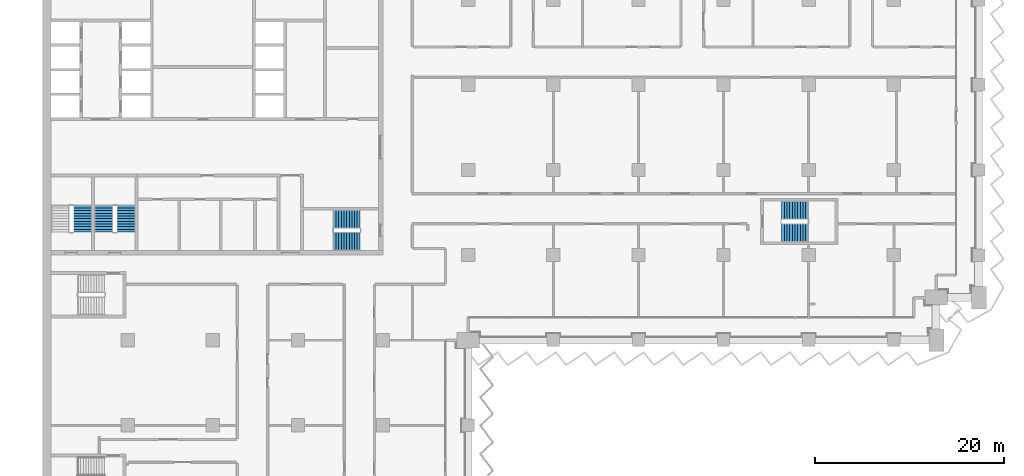
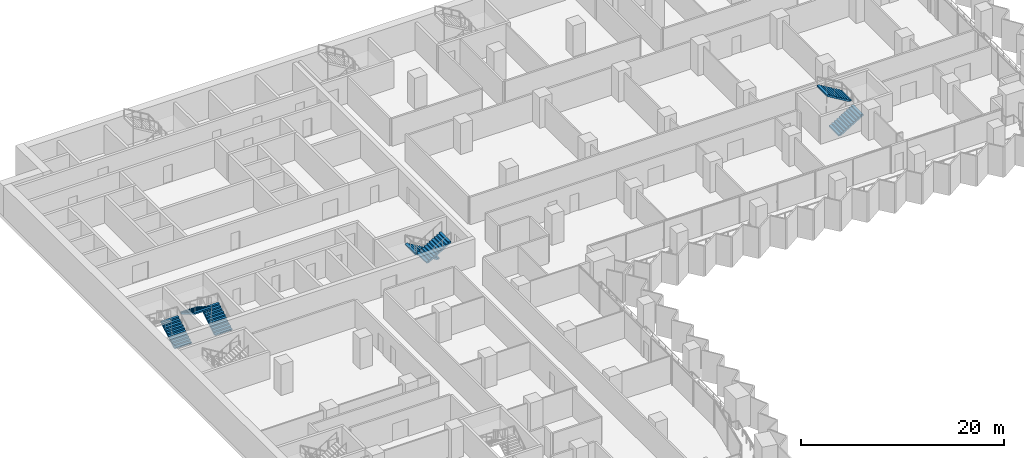
# One storey, part 20 of 28: 7 stair flights, 4 elements without a shape of their own.
"""IFC4 building model written with IfcOpenShell, lengths in metres."""

from ifc_helpers import new_model, si_unit, direction, frame, origin, place, context, subcontext, project, spatial, polyline, outline, extrude, material, type_object, element, aggregate, save


model = new_model("IFC4")

# Units and contexts
model_context = context("Model", 3, precision=1e-05, world=origin(), true_north=direction((0.0, 1.0)))
body_context = subcontext(model_context, "Body", "Model", "MODEL_VIEW")
ifc_project = project(units=[si_unit("LENGTHUNIT", "METRE"), si_unit("AREAUNIT", "SQUARE_METRE"), si_unit("VOLUMEUNIT", "CUBIC_METRE"), si_unit("PLANEANGLEUNIT", "RADIAN"), si_unit("MASSUNIT", "GRAM", prefix="KILO")], contexts=[model_context])

# Site, building, storey
site_placement = place(None, origin())
site = spatial("IfcSite", under=ifc_project, at=site_placement, CompositionType="ELEMENT")
building_placement = place(site_placement, origin())
building = spatial("IfcBuilding", under=site, at=building_placement, Name="Hunhe Ridgeline Campus", CompositionType="ELEMENT")
storey_placement = place(building_placement, frame((0.0, 0.0, 61.699951171875)))
storey = spatial("IfcBuildingStorey", under=building, at=storey_placement, Name="L14", CompositionType="ELEMENT", Elevation=61.699951171875)

# Stair, stair flights
ifc_material = material(Name="Concrete C40", Category="concrete")
stair_type = type_object("IfcStairType", Name="Reinforced concrete dog-leg stair 1950 Concrete C40", PredefinedType="HALF_TURN_STAIR", material=ifc_material)
stair_1_placement = place(storey_placement, origin())
stair_1 = element("IfcStair", 1, at=stair_1_placement, inside=storey, type_object=stair_type, Name="L14 S2", PredefinedType="HALF_TURN_STAIR")
stair_flight_type = type_object("IfcStairFlightType", Name="Reinforced concrete stair flight 1950 Concrete C40", PredefinedType="STRAIGHT", material=ifc_material)
stair_flight_1_placement = place(storey_placement, frame((33.550048828125, 66.77490234375, 0.0), z_axis=(0.0, 0.0, 1.0), x_axis=(-1.0, 0.0, 0.0)))
stair_flight_1 = element("IfcStairFlight", 2, at=stair_flight_1_placement, type_object=stair_flight_type, Name="ST2 flight 1", NumberOfRisers=11, NumberOfTreads=10, PredefinedType="STRAIGHT", RiserHeight=0.168181818, TreadLength=0.28, context=body_context, shape_type="SweptSolid", body=[
    extrude(outline(polyline([(0.0, 0.0), (0.0, 0.168212890625), (0.280029296875, 0.168212890625), (0.280029296875, 0.33642578125), (0.56005859375, 0.33642578125), (0.56005859375, 0.504638671875), (0.840087890625, 0.504638671875), (0.840087890625, 0.672607421875), (1.1201171875, 0.672607421875), (1.1201171875, 0.8408203125), (1.39990234375, 0.8408203125), (1.39990234375, 1.009033203125), (1.679931640625, 1.009033203125), (1.679931640625, 1.17724609375), (1.9599609375, 1.17724609375), (1.9599609375, 1.345458984375), (2.239990234375, 1.345458984375), (2.239990234375, 1.513671875), (2.52001953125, 1.513671875), (2.52001953125, 1.681884765625), (2.800048828125, 1.681884765625), (2.800048828125, 1.85009765625), (2.800048828125, 1.5068359375), (0.291015625, 0.0), (0.0, 0.0)])), frame((0.0, 0.97509765625, 0.0), z_axis=(0.0, -1.0, 0.0), x_axis=(1.0, 0.0, 0.0)), (0.0, 0.0, 1.0), 1.949951171875),
    extrude(outline(polyline([(0.030029296875, 0.030029296875), (0.030029296875, 0.13818359375), (0.31005859375, 0.13818359375), (0.31005859375, 0.306396484375), (0.590087890625, 0.306396484375), (0.590087890625, 0.474609375), (0.8701171875, 0.474609375), (0.8701171875, 0.642578125), (1.14990234375, 0.642578125), (1.14990234375, 0.810791015625), (1.429931640625, 0.810791015625), (1.429931640625, 0.97900390625), (1.7099609375, 0.97900390625), (1.7099609375, 1.147216796875), (1.989990234375, 1.147216796875), (1.989990234375, 1.3154296875), (2.27001953125, 1.3154296875), (2.27001953125, 1.483642578125), (2.550048828125, 1.483642578125), (2.550048828125, 1.65185546875), (2.77001953125, 1.65185546875), (2.77001953125, 1.52392578125), (0.28271484375, 0.030029296875), (0.030029296875, 0.030029296875)])), frame((0.0, -0.070068359375, 0.0), z_axis=(0.0, -1.0, 0.0), x_axis=(1.0, 0.0, 0.0)), (0.0, 0.0, 1.0), 0.019775390625),
    extrude(outline(polyline([(0.030029296875, 0.030029296875), (0.030029296875, 0.13818359375), (0.31005859375, 0.13818359375), (0.31005859375, 0.306396484375), (0.590087890625, 0.306396484375), (0.590087890625, 0.474609375), (0.8701171875, 0.474609375), (0.8701171875, 0.642578125), (1.14990234375, 0.642578125), (1.14990234375, 0.810791015625), (1.429931640625, 0.810791015625), (1.429931640625, 0.97900390625), (1.7099609375, 0.97900390625), (1.7099609375, 1.147216796875), (1.989990234375, 1.147216796875), (1.989990234375, 1.3154296875), (2.27001953125, 1.3154296875), (2.27001953125, 1.483642578125), (2.550048828125, 1.483642578125), (2.550048828125, 1.65185546875), (2.77001953125, 1.65185546875), (2.77001953125, 1.52392578125), (0.28271484375, 0.030029296875), (0.030029296875, 0.030029296875)])), frame((0.0, 0.010009765625, 0.0), z_axis=(0.0, -1.0, 0.0), x_axis=(1.0, 0.0, 0.0)), (0.0, 0.0, 1.0), 0.019775390625),
    extrude(outline(polyline([(0.030029296875, 0.030029296875), (0.030029296875, 0.13818359375), (0.31005859375, 0.13818359375), (0.31005859375, 0.306396484375), (0.590087890625, 0.306396484375), (0.590087890625, 0.474609375), (0.8701171875, 0.474609375), (0.8701171875, 0.642578125), (1.14990234375, 0.642578125), (1.14990234375, 0.810791015625), (1.429931640625, 0.810791015625), (1.429931640625, 0.97900390625), (1.7099609375, 0.97900390625), (1.7099609375, 1.147216796875), (1.989990234375, 1.147216796875), (1.989990234375, 1.3154296875), (2.27001953125, 1.3154296875), (2.27001953125, 1.483642578125), (2.550048828125, 1.483642578125), (2.550048828125, 1.65185546875), (2.77001953125, 1.65185546875), (2.77001953125, 1.52392578125), (0.28271484375, 0.030029296875), (0.030029296875, 0.030029296875)])), frame((0.0, 0.090087890625, 0.0), z_axis=(0.0, -1.0, 0.0), x_axis=(1.0, 0.0, 0.0)), (0.0, 0.0, 1.0), 0.019775390625),
])
stair_flight_2_placement = place(storey_placement, frame((30.75, 64.47509765625, 1.85009765625), z_axis=(0.0, 0.0, 1.0), x_axis=(1.0, 0.0, 0.0)))
stair_flight_2 = element("IfcStairFlight", 3, at=stair_flight_2_placement, type_object=stair_flight_type, Name="ST2 flight 2", NumberOfRisers=11, NumberOfTreads=10, PredefinedType="STRAIGHT", RiserHeight=0.168181818, TreadLength=0.28, context=body_context, shape_type="SweptSolid", body=[
    extrude(outline(polyline([(0.0, 0.0), (0.0, 0.168212890625), (0.280029296875, 0.168212890625), (0.280029296875, 0.33642578125), (0.56005859375, 0.33642578125), (0.56005859375, 0.504638671875), (0.840087890625, 0.504638671875), (0.840087890625, 0.672607421875), (1.1201171875, 0.672607421875), (1.1201171875, 0.8408203125), (1.39990234375, 0.8408203125), (1.39990234375, 1.009033203125), (1.679931640625, 1.009033203125), (1.679931640625, 1.17724609375), (1.9599609375, 1.17724609375), (1.9599609375, 1.345458984375), (2.239990234375, 1.345458984375), (2.239990234375, 1.513671875), (2.52001953125, 1.513671875), (2.52001953125, 1.681884765625), (2.800048828125, 1.681884765625), (2.800048828125, 1.85009765625), (2.800048828125, 1.5068359375), (0.291015625, 0.0), (0.0, 0.0)])), frame((0.0, 0.97509765625, 0.0), z_axis=(0.0, -1.0, 0.0), x_axis=(1.0, 0.0, 0.0)), (0.0, 0.0, 1.0), 1.949951171875),
    extrude(outline(polyline([(0.030029296875, 0.030029296875), (0.030029296875, 0.13818359375), (0.31005859375, 0.13818359375), (0.31005859375, 0.306396484375), (0.590087890625, 0.306396484375), (0.590087890625, 0.474609375), (0.8701171875, 0.474609375), (0.8701171875, 0.642578125), (1.14990234375, 0.642578125), (1.14990234375, 0.810791015625), (1.429931640625, 0.810791015625), (1.429931640625, 0.97900390625), (1.7099609375, 0.97900390625), (1.7099609375, 1.147216796875), (1.989990234375, 1.147216796875), (1.989990234375, 1.3154296875), (2.27001953125, 1.3154296875), (2.27001953125, 1.483642578125), (2.550048828125, 1.483642578125), (2.550048828125, 1.65185546875), (2.77001953125, 1.65185546875), (2.77001953125, 1.52392578125), (0.28271484375, 0.030029296875), (0.030029296875, 0.030029296875)])), frame((0.0, -0.070068359375, 0.0), z_axis=(0.0, -1.0, 0.0), x_axis=(1.0, 0.0, 0.0)), (0.0, 0.0, 1.0), 0.019775390625),
    extrude(outline(polyline([(0.030029296875, 0.030029296875), (0.030029296875, 0.13818359375), (0.31005859375, 0.13818359375), (0.31005859375, 0.306396484375), (0.590087890625, 0.306396484375), (0.590087890625, 0.474609375), (0.8701171875, 0.474609375), (0.8701171875, 0.642578125), (1.14990234375, 0.642578125), (1.14990234375, 0.810791015625), (1.429931640625, 0.810791015625), (1.429931640625, 0.97900390625), (1.7099609375, 0.97900390625), (1.7099609375, 1.147216796875), (1.989990234375, 1.147216796875), (1.989990234375, 1.3154296875), (2.27001953125, 1.3154296875), (2.27001953125, 1.483642578125), (2.550048828125, 1.483642578125), (2.550048828125, 1.65185546875), (2.77001953125, 1.65185546875), (2.77001953125, 1.52392578125), (0.28271484375, 0.030029296875), (0.030029296875, 0.030029296875)])), frame((0.0, 0.010009765625, 0.0), z_axis=(0.0, -1.0, 0.0), x_axis=(1.0, 0.0, 0.0)), (0.0, 0.0, 1.0), 0.019775390625),
    extrude(outline(polyline([(0.030029296875, 0.030029296875), (0.030029296875, 0.13818359375), (0.31005859375, 0.13818359375), (0.31005859375, 0.306396484375), (0.590087890625, 0.306396484375), (0.590087890625, 0.474609375), (0.8701171875, 0.474609375), (0.8701171875, 0.642578125), (1.14990234375, 0.642578125), (1.14990234375, 0.810791015625), (1.429931640625, 0.810791015625), (1.429931640625, 0.97900390625), (1.7099609375, 0.97900390625), (1.7099609375, 1.147216796875), (1.989990234375, 1.147216796875), (1.989990234375, 1.3154296875), (2.27001953125, 1.3154296875), (2.27001953125, 1.483642578125), (2.550048828125, 1.483642578125), (2.550048828125, 1.65185546875), (2.77001953125, 1.65185546875), (2.77001953125, 1.52392578125), (0.28271484375, 0.030029296875), (0.030029296875, 0.030029296875)])), frame((0.0, 0.090087890625, 0.0), z_axis=(0.0, -1.0, 0.0), x_axis=(1.0, 0.0, 0.0)), (0.0, 0.0, 1.0), 0.019775390625),
])
aggregate(stair_1, [stair_flight_1, stair_flight_2])

# Stair, stair flight
stair_2_placement = place(storey_placement, origin())
stair_2 = element("IfcStair", 4, at=stair_2_placement, inside=storey, type_object=stair_type, Name="L14 S3", PredefinedType="HALF_TURN_STAIR")
stair_flight_3_placement = place(storey_placement, frame((4.22509765625, 65.449951171875, 0.0), z_axis=(0.0, 0.0, 1.0), x_axis=(0.0, 1.0, 0.0)))
stair_flight_3 = element("IfcStairFlight", 5, at=stair_flight_3_placement, type_object=stair_flight_type, Name="ST3 flight 1", NumberOfRisers=11, NumberOfTreads=10, PredefinedType="STRAIGHT", RiserHeight=0.168181818, TreadLength=0.28, context=body_context, shape_type="SweptSolid", body=[
    extrude(outline(polyline([(0.0, 0.0), (0.0, 0.168212890625), (0.280029296875, 0.168212890625), (0.280029296875, 0.33642578125), (0.56005859375, 0.33642578125), (0.56005859375, 0.504638671875), (0.840087890625, 0.504638671875), (0.840087890625, 0.672607421875), (1.1201171875, 0.672607421875), (1.1201171875, 0.8408203125), (1.39990234375, 0.8408203125), (1.39990234375, 1.009033203125), (1.679931640625, 1.009033203125), (1.679931640625, 1.17724609375), (1.9599609375, 1.17724609375), (1.9599609375, 1.345458984375), (2.239990234375, 1.345458984375), (2.239990234375, 1.513671875), (2.52001953125, 1.513671875), (2.52001953125, 1.681884765625), (2.800048828125, 1.681884765625), (2.800048828125, 1.85009765625), (2.800048828125, 1.5068359375), (0.291015625, 0.0), (0.0, 0.0)])), frame((0.0, 0.97509765625, 0.0), z_axis=(0.0, -1.0, 0.0), x_axis=(1.0, 0.0, 0.0)), (0.0, 0.0, 1.0), 1.949951171875),
    extrude(outline(polyline([(0.030029296875, 0.030029296875), (0.030029296875, 0.13818359375), (0.31005859375, 0.13818359375), (0.31005859375, 0.306396484375), (0.590087890625, 0.306396484375), (0.590087890625, 0.474609375), (0.8701171875, 0.474609375), (0.8701171875, 0.642578125), (1.14990234375, 0.642578125), (1.14990234375, 0.810791015625), (1.429931640625, 0.810791015625), (1.429931640625, 0.97900390625), (1.7099609375, 0.97900390625), (1.7099609375, 1.147216796875), (1.989990234375, 1.147216796875), (1.989990234375, 1.3154296875), (2.27001953125, 1.3154296875), (2.27001953125, 1.483642578125), (2.550048828125, 1.483642578125), (2.550048828125, 1.65185546875), (2.77001953125, 1.65185546875), (2.77001953125, 1.52392578125), (0.28271484375, 0.030029296875), (0.030029296875, 0.030029296875)])), frame((0.0, -0.070068359375, 0.0), z_axis=(0.0, -1.0, 0.0), x_axis=(1.0, 0.0, 0.0)), (0.0, 0.0, 1.0), 0.019775390625),
    extrude(outline(polyline([(0.030029296875, 0.030029296875), (0.030029296875, 0.13818359375), (0.31005859375, 0.13818359375), (0.31005859375, 0.306396484375), (0.590087890625, 0.306396484375), (0.590087890625, 0.474609375), (0.8701171875, 0.474609375), (0.8701171875, 0.642578125), (1.14990234375, 0.642578125), (1.14990234375, 0.810791015625), (1.429931640625, 0.810791015625), (1.429931640625, 0.97900390625), (1.7099609375, 0.97900390625), (1.7099609375, 1.147216796875), (1.989990234375, 1.147216796875), (1.989990234375, 1.3154296875), (2.27001953125, 1.3154296875), (2.27001953125, 1.483642578125), (2.550048828125, 1.483642578125), (2.550048828125, 1.65185546875), (2.77001953125, 1.65185546875), (2.77001953125, 1.52392578125), (0.28271484375, 0.030029296875), (0.030029296875, 0.030029296875)])), frame((0.0, 0.010009765625, 0.0), z_axis=(0.0, -1.0, 0.0), x_axis=(1.0, 0.0, 0.0)), (0.0, 0.0, 1.0), 0.019775390625),
    extrude(outline(polyline([(0.030029296875, 0.030029296875), (0.030029296875, 0.13818359375), (0.31005859375, 0.13818359375), (0.31005859375, 0.306396484375), (0.590087890625, 0.306396484375), (0.590087890625, 0.474609375), (0.8701171875, 0.474609375), (0.8701171875, 0.642578125), (1.14990234375, 0.642578125), (1.14990234375, 0.810791015625), (1.429931640625, 0.810791015625), (1.429931640625, 0.97900390625), (1.7099609375, 0.97900390625), (1.7099609375, 1.147216796875), (1.989990234375, 1.147216796875), (1.989990234375, 1.3154296875), (2.27001953125, 1.3154296875), (2.27001953125, 1.483642578125), (2.550048828125, 1.483642578125), (2.550048828125, 1.65185546875), (2.77001953125, 1.65185546875), (2.77001953125, 1.52392578125), (0.28271484375, 0.030029296875), (0.030029296875, 0.030029296875)])), frame((0.0, 0.090087890625, 0.0), z_axis=(0.0, -1.0, 0.0), x_axis=(1.0, 0.0, 0.0)), (0.0, 0.0, 1.0), 0.019775390625),
])
aggregate(stair_2, [stair_flight_3])

# Stair, stair flights
stair_3_placement = place(storey_placement, origin())
stair_3 = element("IfcStair", 6, at=stair_3_placement, inside=storey, type_object=stair_type, Name="L14 S4", PredefinedType="HALF_TURN_STAIR")
stair_flight_4_placement = place(storey_placement, frame((8.824951171875, 65.449951171875, 0.0), z_axis=(0.0, 0.0, 1.0), x_axis=(0.0, 1.0, 0.0)))
stair_flight_4 = element("IfcStairFlight", 7, at=stair_flight_4_placement, type_object=stair_flight_type, Name="ST4 flight 1", NumberOfRisers=11, NumberOfTreads=10, PredefinedType="STRAIGHT", RiserHeight=0.168181818, TreadLength=0.28, context=body_context, shape_type="SweptSolid", body=[
    extrude(outline(polyline([(0.0, 0.0), (0.0, 0.168212890625), (0.280029296875, 0.168212890625), (0.280029296875, 0.33642578125), (0.56005859375, 0.33642578125), (0.56005859375, 0.504638671875), (0.840087890625, 0.504638671875), (0.840087890625, 0.672607421875), (1.1201171875, 0.672607421875), (1.1201171875, 0.8408203125), (1.39990234375, 0.8408203125), (1.39990234375, 1.009033203125), (1.679931640625, 1.009033203125), (1.679931640625, 1.17724609375), (1.9599609375, 1.17724609375), (1.9599609375, 1.345458984375), (2.239990234375, 1.345458984375), (2.239990234375, 1.513671875), (2.52001953125, 1.513671875), (2.52001953125, 1.681884765625), (2.800048828125, 1.681884765625), (2.800048828125, 1.85009765625), (2.800048828125, 1.5068359375), (0.291015625, 0.0), (0.0, 0.0)])), frame((0.0, 0.97509765625, 0.0), z_axis=(0.0, -1.0, 0.0), x_axis=(1.0, 0.0, 0.0)), (0.0, 0.0, 1.0), 1.949951171875),
    extrude(outline(polyline([(0.030029296875, 0.030029296875), (0.030029296875, 0.13818359375), (0.31005859375, 0.13818359375), (0.31005859375, 0.306396484375), (0.590087890625, 0.306396484375), (0.590087890625, 0.474609375), (0.8701171875, 0.474609375), (0.8701171875, 0.642578125), (1.14990234375, 0.642578125), (1.14990234375, 0.810791015625), (1.429931640625, 0.810791015625), (1.429931640625, 0.97900390625), (1.7099609375, 0.97900390625), (1.7099609375, 1.147216796875), (1.989990234375, 1.147216796875), (1.989990234375, 1.3154296875), (2.27001953125, 1.3154296875), (2.27001953125, 1.483642578125), (2.550048828125, 1.483642578125), (2.550048828125, 1.65185546875), (2.77001953125, 1.65185546875), (2.77001953125, 1.52392578125), (0.28271484375, 0.030029296875), (0.030029296875, 0.030029296875)])), frame((0.0, -0.070068359375, 0.0), z_axis=(0.0, -1.0, 0.0), x_axis=(1.0, 0.0, 0.0)), (0.0, 0.0, 1.0), 0.019775390625),
    extrude(outline(polyline([(0.030029296875, 0.030029296875), (0.030029296875, 0.13818359375), (0.31005859375, 0.13818359375), (0.31005859375, 0.306396484375), (0.590087890625, 0.306396484375), (0.590087890625, 0.474609375), (0.8701171875, 0.474609375), (0.8701171875, 0.642578125), (1.14990234375, 0.642578125), (1.14990234375, 0.810791015625), (1.429931640625, 0.810791015625), (1.429931640625, 0.97900390625), (1.7099609375, 0.97900390625), (1.7099609375, 1.147216796875), (1.989990234375, 1.147216796875), (1.989990234375, 1.3154296875), (2.27001953125, 1.3154296875), (2.27001953125, 1.483642578125), (2.550048828125, 1.483642578125), (2.550048828125, 1.65185546875), (2.77001953125, 1.65185546875), (2.77001953125, 1.52392578125), (0.28271484375, 0.030029296875), (0.030029296875, 0.030029296875)])), frame((0.0, 0.010009765625, 0.0), z_axis=(0.0, -1.0, 0.0), x_axis=(1.0, 0.0, 0.0)), (0.0, 0.0, 1.0), 0.019775390625),
    extrude(outline(polyline([(0.030029296875, 0.030029296875), (0.030029296875, 0.13818359375), (0.31005859375, 0.13818359375), (0.31005859375, 0.306396484375), (0.590087890625, 0.306396484375), (0.590087890625, 0.474609375), (0.8701171875, 0.474609375), (0.8701171875, 0.642578125), (1.14990234375, 0.642578125), (1.14990234375, 0.810791015625), (1.429931640625, 0.810791015625), (1.429931640625, 0.97900390625), (1.7099609375, 0.97900390625), (1.7099609375, 1.147216796875), (1.989990234375, 1.147216796875), (1.989990234375, 1.3154296875), (2.27001953125, 1.3154296875), (2.27001953125, 1.483642578125), (2.550048828125, 1.483642578125), (2.550048828125, 1.65185546875), (2.77001953125, 1.65185546875), (2.77001953125, 1.52392578125), (0.28271484375, 0.030029296875), (0.030029296875, 0.030029296875)])), frame((0.0, 0.090087890625, 0.0), z_axis=(0.0, -1.0, 0.0), x_axis=(1.0, 0.0, 0.0)), (0.0, 0.0, 1.0), 0.019775390625),
])
stair_flight_5_placement = place(storey_placement, frame((6.47509765625, 68.25, 1.85009765625), z_axis=(0.0, 0.0, 1.0), x_axis=(0.0, -1.0, 0.0)))
stair_flight_5 = element("IfcStairFlight", 8, at=stair_flight_5_placement, type_object=stair_flight_type, Name="ST4 flight 2", NumberOfRisers=11, NumberOfTreads=10, PredefinedType="STRAIGHT", RiserHeight=0.168181818, TreadLength=0.28, context=body_context, shape_type="SweptSolid", body=[
    extrude(outline(polyline([(0.0, 0.0), (0.0, 0.168212890625), (0.280029296875, 0.168212890625), (0.280029296875, 0.33642578125), (0.56005859375, 0.33642578125), (0.56005859375, 0.504638671875), (0.840087890625, 0.504638671875), (0.840087890625, 0.672607421875), (1.1201171875, 0.672607421875), (1.1201171875, 0.8408203125), (1.39990234375, 0.8408203125), (1.39990234375, 1.009033203125), (1.679931640625, 1.009033203125), (1.679931640625, 1.17724609375), (1.9599609375, 1.17724609375), (1.9599609375, 1.345458984375), (2.239990234375, 1.345458984375), (2.239990234375, 1.513671875), (2.52001953125, 1.513671875), (2.52001953125, 1.681884765625), (2.800048828125, 1.681884765625), (2.800048828125, 1.85009765625), (2.800048828125, 1.5068359375), (0.291015625, 0.0), (0.0, 0.0)])), frame((0.0, 0.97509765625, 0.0), z_axis=(0.0, -1.0, 0.0), x_axis=(1.0, 0.0, 0.0)), (0.0, 0.0, 1.0), 1.949951171875),
    extrude(outline(polyline([(0.030029296875, 0.030029296875), (0.030029296875, 0.13818359375), (0.31005859375, 0.13818359375), (0.31005859375, 0.306396484375), (0.590087890625, 0.306396484375), (0.590087890625, 0.474609375), (0.8701171875, 0.474609375), (0.8701171875, 0.642578125), (1.14990234375, 0.642578125), (1.14990234375, 0.810791015625), (1.429931640625, 0.810791015625), (1.429931640625, 0.97900390625), (1.7099609375, 0.97900390625), (1.7099609375, 1.147216796875), (1.989990234375, 1.147216796875), (1.989990234375, 1.3154296875), (2.27001953125, 1.3154296875), (2.27001953125, 1.483642578125), (2.550048828125, 1.483642578125), (2.550048828125, 1.65185546875), (2.77001953125, 1.65185546875), (2.77001953125, 1.52392578125), (0.28271484375, 0.030029296875), (0.030029296875, 0.030029296875)])), frame((0.0, -0.070068359375, 0.0), z_axis=(0.0, -1.0, 0.0), x_axis=(1.0, 0.0, 0.0)), (0.0, 0.0, 1.0), 0.019775390625),
    extrude(outline(polyline([(0.030029296875, 0.030029296875), (0.030029296875, 0.13818359375), (0.31005859375, 0.13818359375), (0.31005859375, 0.306396484375), (0.590087890625, 0.306396484375), (0.590087890625, 0.474609375), (0.8701171875, 0.474609375), (0.8701171875, 0.642578125), (1.14990234375, 0.642578125), (1.14990234375, 0.810791015625), (1.429931640625, 0.810791015625), (1.429931640625, 0.97900390625), (1.7099609375, 0.97900390625), (1.7099609375, 1.147216796875), (1.989990234375, 1.147216796875), (1.989990234375, 1.3154296875), (2.27001953125, 1.3154296875), (2.27001953125, 1.483642578125), (2.550048828125, 1.483642578125), (2.550048828125, 1.65185546875), (2.77001953125, 1.65185546875), (2.77001953125, 1.52392578125), (0.28271484375, 0.030029296875), (0.030029296875, 0.030029296875)])), frame((0.0, 0.010009765625, 0.0), z_axis=(0.0, -1.0, 0.0), x_axis=(1.0, 0.0, 0.0)), (0.0, 0.0, 1.0), 0.019775390625),
    extrude(outline(polyline([(0.030029296875, 0.030029296875), (0.030029296875, 0.13818359375), (0.31005859375, 0.13818359375), (0.31005859375, 0.306396484375), (0.590087890625, 0.306396484375), (0.590087890625, 0.474609375), (0.8701171875, 0.474609375), (0.8701171875, 0.642578125), (1.14990234375, 0.642578125), (1.14990234375, 0.810791015625), (1.429931640625, 0.810791015625), (1.429931640625, 0.97900390625), (1.7099609375, 0.97900390625), (1.7099609375, 1.147216796875), (1.989990234375, 1.147216796875), (1.989990234375, 1.3154296875), (2.27001953125, 1.3154296875), (2.27001953125, 1.483642578125), (2.550048828125, 1.483642578125), (2.550048828125, 1.65185546875), (2.77001953125, 1.65185546875), (2.77001953125, 1.52392578125), (0.28271484375, 0.030029296875), (0.030029296875, 0.030029296875)])), frame((0.0, 0.090087890625, 0.0), z_axis=(0.0, -1.0, 0.0), x_axis=(1.0, 0.0, 0.0)), (0.0, 0.0, 1.0), 0.019775390625),
])
aggregate(stair_3, [stair_flight_4, stair_flight_5])

stair_4_placement = place(storey_placement, origin())
stair_4 = element("IfcStair", 9, at=stair_4_placement, inside=storey, type_object=stair_type, Name="L14 E5", PredefinedType="HALF_TURN_STAIR")
stair_flight_6_placement = place(storey_placement, frame((78.14990234375, 65.375, 0.0), z_axis=(0.0, 0.0, 1.0), x_axis=(1.0, 0.0, 0.0)))
stair_flight_6 = element("IfcStairFlight", 10, at=stair_flight_6_placement, type_object=stair_flight_type, Name="ST10 flight 1", NumberOfRisers=11, NumberOfTreads=10, PredefinedType="STRAIGHT", RiserHeight=0.168181818, TreadLength=0.28, context=body_context, shape_type="SweptSolid", body=[
    extrude(outline(polyline([(0.0, 0.0), (0.0, 0.168212890625), (0.280029296875, 0.168212890625), (0.280029296875, 0.33642578125), (0.56005859375, 0.33642578125), (0.56005859375, 0.504638671875), (0.840087890625, 0.504638671875), (0.840087890625, 0.672607421875), (1.1201171875, 0.672607421875), (1.1201171875, 0.8408203125), (1.39990234375, 0.8408203125), (1.39990234375, 1.009033203125), (1.679931640625, 1.009033203125), (1.679931640625, 1.17724609375), (1.9599609375, 1.17724609375), (1.9599609375, 1.345458984375), (2.239990234375, 1.345458984375), (2.239990234375, 1.513671875), (2.52001953125, 1.513671875), (2.52001953125, 1.681884765625), (2.800048828125, 1.681884765625), (2.800048828125, 1.85009765625), (2.800048828125, 1.5068359375), (0.291015625, 0.0), (0.0, 0.0)])), frame((0.0, 0.97509765625, 0.0), z_axis=(0.0, -1.0, 0.0), x_axis=(1.0, 0.0, 0.0)), (0.0, 0.0, 1.0), 1.949951171875),
    extrude(outline(polyline([(0.030029296875, 0.030029296875), (0.030029296875, 0.13818359375), (0.31005859375, 0.13818359375), (0.31005859375, 0.306396484375), (0.590087890625, 0.306396484375), (0.590087890625, 0.474609375), (0.8701171875, 0.474609375), (0.8701171875, 0.642578125), (1.14990234375, 0.642578125), (1.14990234375, 0.810791015625), (1.429931640625, 0.810791015625), (1.429931640625, 0.97900390625), (1.7099609375, 0.97900390625), (1.7099609375, 1.147216796875), (1.989990234375, 1.147216796875), (1.989990234375, 1.3154296875), (2.27001953125, 1.3154296875), (2.27001953125, 1.483642578125), (2.550048828125, 1.483642578125), (2.550048828125, 1.65185546875), (2.77001953125, 1.65185546875), (2.77001953125, 1.52392578125), (0.28271484375, 0.030029296875), (0.030029296875, 0.030029296875)])), frame((0.0, -0.070068359375, 0.0), z_axis=(0.0, -1.0, 0.0), x_axis=(1.0, 0.0, 0.0)), (0.0, 0.0, 1.0), 0.019775390625),
    extrude(outline(polyline([(0.030029296875, 0.030029296875), (0.030029296875, 0.13818359375), (0.31005859375, 0.13818359375), (0.31005859375, 0.306396484375), (0.590087890625, 0.306396484375), (0.590087890625, 0.474609375), (0.8701171875, 0.474609375), (0.8701171875, 0.642578125), (1.14990234375, 0.642578125), (1.14990234375, 0.810791015625), (1.429931640625, 0.810791015625), (1.429931640625, 0.97900390625), (1.7099609375, 0.97900390625), (1.7099609375, 1.147216796875), (1.989990234375, 1.147216796875), (1.989990234375, 1.3154296875), (2.27001953125, 1.3154296875), (2.27001953125, 1.483642578125), (2.550048828125, 1.483642578125), (2.550048828125, 1.65185546875), (2.77001953125, 1.65185546875), (2.77001953125, 1.52392578125), (0.28271484375, 0.030029296875), (0.030029296875, 0.030029296875)])), frame((0.0, 0.010009765625, 0.0), z_axis=(0.0, -1.0, 0.0), x_axis=(1.0, 0.0, 0.0)), (0.0, 0.0, 1.0), 0.019775390625),
    extrude(outline(polyline([(0.030029296875, 0.030029296875), (0.030029296875, 0.13818359375), (0.31005859375, 0.13818359375), (0.31005859375, 0.306396484375), (0.590087890625, 0.306396484375), (0.590087890625, 0.474609375), (0.8701171875, 0.474609375), (0.8701171875, 0.642578125), (1.14990234375, 0.642578125), (1.14990234375, 0.810791015625), (1.429931640625, 0.810791015625), (1.429931640625, 0.97900390625), (1.7099609375, 0.97900390625), (1.7099609375, 1.147216796875), (1.989990234375, 1.147216796875), (1.989990234375, 1.3154296875), (2.27001953125, 1.3154296875), (2.27001953125, 1.483642578125), (2.550048828125, 1.483642578125), (2.550048828125, 1.65185546875), (2.77001953125, 1.65185546875), (2.77001953125, 1.52392578125), (0.28271484375, 0.030029296875), (0.030029296875, 0.030029296875)])), frame((0.0, 0.090087890625, 0.0), z_axis=(0.0, -1.0, 0.0), x_axis=(1.0, 0.0, 0.0)), (0.0, 0.0, 1.0), 0.019775390625),
])
stair_flight_7_placement = place(storey_placement, frame((80.949951171875, 67.72509765625, 1.85009765625), z_axis=(0.0, 0.0, 1.0), x_axis=(-1.0, 0.0, 0.0)))
stair_flight_7 = element("IfcStairFlight", 11, at=stair_flight_7_placement, type_object=stair_flight_type, Name="ST10 flight 2", NumberOfRisers=11, NumberOfTreads=10, PredefinedType="STRAIGHT", RiserHeight=0.168181818, TreadLength=0.28, context=body_context, shape_type="SweptSolid", body=[
    extrude(outline(polyline([(0.0, 0.0), (0.0, 0.168212890625), (0.280029296875, 0.168212890625), (0.280029296875, 0.33642578125), (0.56005859375, 0.33642578125), (0.56005859375, 0.504638671875), (0.840087890625, 0.504638671875), (0.840087890625, 0.672607421875), (1.1201171875, 0.672607421875), (1.1201171875, 0.8408203125), (1.39990234375, 0.8408203125), (1.39990234375, 1.009033203125), (1.679931640625, 1.009033203125), (1.679931640625, 1.17724609375), (1.9599609375, 1.17724609375), (1.9599609375, 1.345458984375), (2.239990234375, 1.345458984375), (2.239990234375, 1.513671875), (2.52001953125, 1.513671875), (2.52001953125, 1.681884765625), (2.800048828125, 1.681884765625), (2.800048828125, 1.85009765625), (2.800048828125, 1.5068359375), (0.291015625, 0.0), (0.0, 0.0)])), frame((0.0, 0.97509765625, 0.0), z_axis=(0.0, -1.0, 0.0), x_axis=(1.0, 0.0, 0.0)), (0.0, 0.0, 1.0), 1.949951171875),
    extrude(outline(polyline([(0.030029296875, 0.030029296875), (0.030029296875, 0.13818359375), (0.31005859375, 0.13818359375), (0.31005859375, 0.306396484375), (0.590087890625, 0.306396484375), (0.590087890625, 0.474609375), (0.8701171875, 0.474609375), (0.8701171875, 0.642578125), (1.14990234375, 0.642578125), (1.14990234375, 0.810791015625), (1.429931640625, 0.810791015625), (1.429931640625, 0.97900390625), (1.7099609375, 0.97900390625), (1.7099609375, 1.147216796875), (1.989990234375, 1.147216796875), (1.989990234375, 1.3154296875), (2.27001953125, 1.3154296875), (2.27001953125, 1.483642578125), (2.550048828125, 1.483642578125), (2.550048828125, 1.65185546875), (2.77001953125, 1.65185546875), (2.77001953125, 1.52392578125), (0.28271484375, 0.030029296875), (0.030029296875, 0.030029296875)])), frame((0.0, -0.070068359375, 0.0), z_axis=(0.0, -1.0, 0.0), x_axis=(1.0, 0.0, 0.0)), (0.0, 0.0, 1.0), 0.019775390625),
    extrude(outline(polyline([(0.030029296875, 0.030029296875), (0.030029296875, 0.13818359375), (0.31005859375, 0.13818359375), (0.31005859375, 0.306396484375), (0.590087890625, 0.306396484375), (0.590087890625, 0.474609375), (0.8701171875, 0.474609375), (0.8701171875, 0.642578125), (1.14990234375, 0.642578125), (1.14990234375, 0.810791015625), (1.429931640625, 0.810791015625), (1.429931640625, 0.97900390625), (1.7099609375, 0.97900390625), (1.7099609375, 1.147216796875), (1.989990234375, 1.147216796875), (1.989990234375, 1.3154296875), (2.27001953125, 1.3154296875), (2.27001953125, 1.483642578125), (2.550048828125, 1.483642578125), (2.550048828125, 1.65185546875), (2.77001953125, 1.65185546875), (2.77001953125, 1.52392578125), (0.28271484375, 0.030029296875), (0.030029296875, 0.030029296875)])), frame((0.0, 0.010009765625, 0.0), z_axis=(0.0, -1.0, 0.0), x_axis=(1.0, 0.0, 0.0)), (0.0, 0.0, 1.0), 0.019775390625),
    extrude(outline(polyline([(0.030029296875, 0.030029296875), (0.030029296875, 0.13818359375), (0.31005859375, 0.13818359375), (0.31005859375, 0.306396484375), (0.590087890625, 0.306396484375), (0.590087890625, 0.474609375), (0.8701171875, 0.474609375), (0.8701171875, 0.642578125), (1.14990234375, 0.642578125), (1.14990234375, 0.810791015625), (1.429931640625, 0.810791015625), (1.429931640625, 0.97900390625), (1.7099609375, 0.97900390625), (1.7099609375, 1.147216796875), (1.989990234375, 1.147216796875), (1.989990234375, 1.3154296875), (2.27001953125, 1.3154296875), (2.27001953125, 1.483642578125), (2.550048828125, 1.483642578125), (2.550048828125, 1.65185546875), (2.77001953125, 1.65185546875), (2.77001953125, 1.52392578125), (0.28271484375, 0.030029296875), (0.030029296875, 0.030029296875)])), frame((0.0, 0.090087890625, 0.0), z_axis=(0.0, -1.0, 0.0), x_axis=(1.0, 0.0, 0.0)), (0.0, 0.0, 1.0), 0.019775390625),
])
aggregate(stair_4, [stair_flight_6, stair_flight_7])

save(model, "model.ifc")
